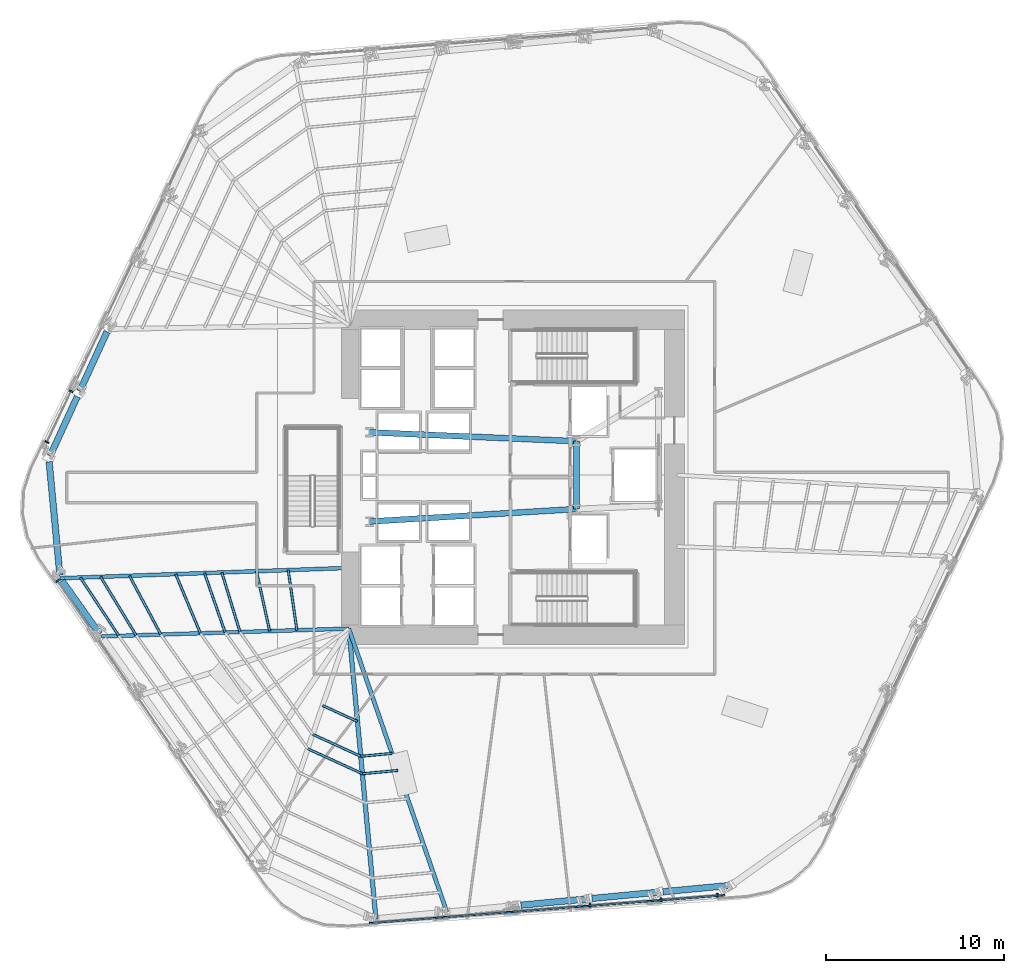
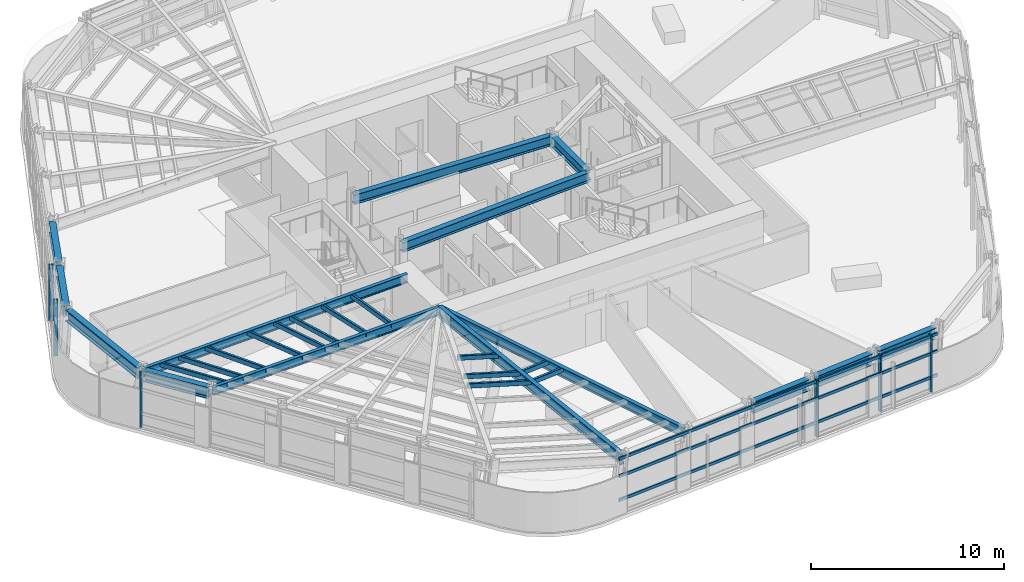
# One storey, part 3 of 15: 22 members, 14 beams, 3 elements without a shape of their own.
"""IFC4 building model written with IfcOpenShell, lengths in metres."""

from ifc_helpers import new_model, si_unit, direction, frame, origin, origin_2d, place, context, subcontext, project, spatial, rectangle, hollow_rectangle, i_section, extrude, material, layer, layer_set, material_profile, profile_set, type_object, element, aggregate, save


model = new_model("IFC4")

# Units and contexts
model_context = context("Model", 3, precision=1e-05, world=origin(), true_north=direction((0.0, 1.0)))
body_context = subcontext(model_context, "Body", "Model", "MODEL_VIEW")
ifc_project = project(units=[si_unit("LENGTHUNIT", "METRE"), si_unit("AREAUNIT", "SQUARE_METRE"), si_unit("VOLUMEUNIT", "CUBIC_METRE"), si_unit("PLANEANGLEUNIT", "RADIAN"), si_unit("MASSUNIT", "GRAM", prefix="KILO")], contexts=[model_context])

# Site, building, storey
site_placement = place(None, origin())
site = spatial("IfcSite", under=ifc_project, at=site_placement, CompositionType="ELEMENT")
building_placement = place(site_placement, origin())
building = spatial("IfcBuilding", under=site, at=building_placement, Name="Valkerne Bourse Tower", CompositionType="ELEMENT")
storey_placement = place(building_placement, frame((0.0, 0.0, 43.0)))
storey = spatial("IfcBuildingStorey", under=building, at=storey_placement, Name="L10", CompositionType="ELEMENT", Elevation=43.0)

# Beams
ifc_material_1 = material(Name="Steel ASTM A992", Category="steel")
ifc_material_profile_1 = material_profile(ifc_material_1, i_section(OverallWidth=0.209228515625, OverallDepth=0.533447265625, WebThickness=0.01025390625, FlangeThickness=0.015625, FilletRadius=0.017822265625, at=origin_2d()), Name="W21X62")
ifc_profile_set_1 = profile_set([ifc_material_profile_1], Name="Steel ASTM A992")
beam_type_1 = type_object("IfcBeamType", Name="BM-W21X62", PredefinedType="JOIST", material=ifc_profile_set_1)
beam_1_placement = place(storey_placement, frame((23.738525390625, 17.964599609375, 3.313232421875), z_axis=(0.999507272579, 0.031388087905, 0.0), x_axis=(-0.031388087905, 0.999507272579, 0.0)))
element("IfcBeam", 1, at=beam_1_placement, inside=storey, type_object=beam_type_1, Name="L10 Radial Composite Floor Beam 19", PredefinedType="JOIST", context=body_context, shape_type="SweptSolid", body=[
    extrude(i_section(OverallWidth=0.209228515625, OverallDepth=0.533447265625, WebThickness=0.01025390625, FlangeThickness=0.015625, FilletRadius=0.017822265625, at=origin_2d()), origin(), (0.0, 0.0, 1.0), 13.868408203125),
])
ifc_material_profile_2 = material_profile(ifc_material_1, i_section(OverallWidth=0.2138671875, OverallDepth=0.548583984375, WebThickness=0.0146484375, FlangeThickness=0.023681640625, FilletRadius=0.017822265625, at=origin_2d()), Name="W21X93")
ifc_profile_set_2 = profile_set([ifc_material_profile_2], Name="Steel ASTM A992")
beam_type_2 = type_object("IfcBeamType", Name="BM-W21X93", PredefinedType="BEAM", material=ifc_profile_set_2)
beam_2_placement = place(storey_placement, frame((21.423583984375, 21.2216796875, 3.3056640625), z_axis=(0.999361450985, 0.035730803021, 0.0), x_axis=(-0.035730803021, 0.999361450985, 0.0)))
element("IfcBeam", 2, at=beam_2_placement, inside=storey, type_object=beam_type_2, Name="L10 Radial Composite Floor Beam 18", PredefinedType="BEAM", context=body_context, shape_type="SweptSolid", body=[
    extrude(i_section(OverallWidth=0.2138671875, OverallDepth=0.548583984375, WebThickness=0.0146484375, FlangeThickness=0.023681640625, FilletRadius=0.017822265625, at=origin_2d()), origin(), (0.0, 0.0, 1.0), 16.186767578125),
])
ifc_material_profile_3 = material_profile(ifc_material_1, i_section(OverallWidth=0.3251953125, OverallDepth=0.612060546875, WebThickness=0.0126953125, FlangeThickness=0.01904296875, FilletRadius=0.020263671875, at=origin_2d()), Name="W24X104")
ifc_profile_set_3 = profile_set([ifc_material_profile_3], Name="Steel ASTM A992")
beam_type_3 = type_object("IfcBeamType", Name="BM-W24X104", PredefinedType="BEAM", material=ifc_profile_set_3)
beam_3_placement = place(storey_placement, frame((50.35009765625, 25.10009765625, 3.27392578125), z_axis=(0.0, 1.0, 0.0), x_axis=(-1.0, 0.0, 0.0)))
element("IfcBeam", 3, at=beam_3_placement, inside=storey, type_object=beam_type_3, Name="L10 Core Frame Girder CG-CE", PredefinedType="BEAM", context=body_context, shape_type="SweptSolid", body=[
    extrude(i_section(OverallWidth=0.3251953125, OverallDepth=0.612060546875, WebThickness=0.0126953125, FlangeThickness=0.01904296875, FilletRadius=0.020263671875, at=origin_2d()), origin(), (0.0, 0.0, 1.0), 3.7998046875),
])
beam_4_placement = place(storey_placement, frame((38.75, 24.39990234375, 3.27392578125), z_axis=(0.998183228389, 0.060251494276, 0.0), x_axis=(-0.060251494276, 0.998183228389, 0.0)))
element("IfcBeam", 4, at=beam_4_placement, inside=storey, type_object=beam_type_3, Name="L10 Core Frame Girder CG-SW", PredefinedType="BEAM", context=body_context, shape_type="SweptSolid", body=[
    extrude(i_section(OverallWidth=0.3251953125, OverallDepth=0.612060546875, WebThickness=0.0126953125, FlangeThickness=0.01904296875, FilletRadius=0.020263671875, at=origin_2d()), origin(), (0.0, 0.0, 1.0), 11.62109375),
])
beam_5_placement = place(storey_placement, frame((38.75, 29.39990234375, 3.27392578125), z_axis=(0.999072354402, -0.043063101019, 0.0), x_axis=(0.043063101019, 0.999072354402, 0.0)))
element("IfcBeam", 5, at=beam_5_placement, inside=storey, type_object=beam_type_3, Name="L10 Core Frame Girder CG-NW", PredefinedType="BEAM", context=body_context, shape_type="SweptSolid", body=[
    extrude(i_section(OverallWidth=0.3251953125, OverallDepth=0.612060546875, WebThickness=0.0126953125, FlangeThickness=0.01904296875, FilletRadius=0.020263671875, at=origin_2d()), origin(), (0.0, 0.0, 1.0), 11.61083984375),
])
ifc_material_profile_4 = material_profile(ifc_material_1, i_section(OverallWidth=0.228271484375, OverallDepth=0.607177734375, WebThickness=0.01123046875, FlangeThickness=0.017333984375, FilletRadius=0.017822265625, at=origin_2d()), Name="W24X76")
ifc_profile_set_4 = profile_set([ifc_material_profile_4], Name="Steel ASTM A992")
beam_type_4 = type_object("IfcBeamType", Name="BM-W24X76", PredefinedType="JOIST", material=ifc_profile_set_4)
beam_6_placement = place(storey_placement, frame((43.09423828125, 2.510498046875, 3.2763671875), z_axis=(-0.32678984629, 0.945097030131, 0.0), x_axis=(-0.945097030131, -0.32678984629, 0.0)))
element("IfcBeam", 6, at=beam_6_placement, inside=storey, type_object=beam_type_4, Name="L10 Radial Composite Floor Beam 25", PredefinedType="JOIST", context=body_context, shape_type="SweptSolid", body=[
    extrude(i_section(OverallWidth=0.228271484375, OverallDepth=0.607177734375, WebThickness=0.01123046875, FlangeThickness=0.017333984375, FilletRadius=0.017822265625, at=origin_2d()), origin(), (0.0, 0.0, 1.0), 16.8125),
])
ifc_material_profile_5 = material_profile(ifc_material_1, i_section(OverallWidth=0.255859375, OverallDepth=0.693359375, WebThickness=0.014404296875, FlangeThickness=0.023681640625, FilletRadius=0.02294921875, at=origin_2d()), Name="W27X114")
ifc_profile_set_5 = profile_set([ifc_material_profile_5], Name="Steel ASTM A992")
beam_type_5 = type_object("IfcBeamType", Name="BM-W27X114", PredefinedType="BEAM", material=ifc_profile_set_5)
beam_7_placement = place(storey_placement, frame((39.115966796875, 2.13427734375, 3.2333984375), z_axis=(-0.092792552873, 0.995685463453, 0.0), x_axis=(-0.995685463453, -0.092792552873, 0.0)))
element("IfcBeam", 7, at=beam_7_placement, inside=storey, type_object=beam_type_5, Name="L10 Radial Composite Floor Beam 24", PredefinedType="BEAM", context=body_context, shape_type="SweptSolid", body=[
    extrude(i_section(OverallWidth=0.255859375, OverallDepth=0.693359375, WebThickness=0.014404296875, FlangeThickness=0.023681640625, FilletRadius=0.02294921875, at=origin_2d()), origin(), (0.0, 0.0, 1.0), 16.336181640625),
])
ifc_material_profile_6 = material_profile(ifc_material_1, i_section(OverallWidth=0.358154296875, OverallDepth=0.7060546875, WebThickness=0.018310546875, FlangeThickness=0.0302734375, FilletRadius=0.02294921875, at=origin_2d()), Name="W27X178")
ifc_profile_set_6 = profile_set([ifc_material_profile_6], Name="Steel ASTM A992")
beam_type_6 = type_object("IfcBeamType", Name="BM-W27X178", PredefinedType="SPANDREL", material=ifc_profile_set_6)
for number, where, z_axis, x_axis, name in (
    (8, (24.04638671875, 35.032958984375, 3.226806640625), (-0.416231573984, -0.909258641322, 0.0), (0.909258641322, -0.416231573984, 0.0), "L10 Hexagonal Spandrel Ring Beam 15"),
    (9, (22.383056640625, 31.399658203125, 3.226806640625), (-0.416286781049, -0.909233367142, 0.0), (0.909233367142, -0.416286781049, 0.0), "L10 Hexagonal Spandrel Ring Beam 16"),
):
    element("IfcBeam", number, at=place(storey_placement, frame(where, z_axis=z_axis, x_axis=x_axis)), inside=storey, type_object=beam_type_6, Name=name, PredefinedType="SPANDREL", context=body_context, shape_type="SweptSolid", body=[
        extrude(i_section(OverallWidth=0.358154296875, OverallDepth=0.7060546875, WebThickness=0.018310546875, FlangeThickness=0.0302734375, FilletRadius=0.02294921875, at=origin_2d()), origin(), (0.0, 0.0, 1.0), 3.656005859375),
    ])
beam_8_placement = place(storey_placement, frame((20.806396484375, 27.751708984375, 3.226806640625), z_axis=(0.09411482318, -0.995561349219, 0.0), x_axis=(0.995561349219, 0.09411482318, 0.0)))
element("IfcBeam", 10, at=beam_8_placement, inside=storey, type_object=beam_type_6, Name="L10 Hexagonal Spandrel Ring Beam 17", PredefinedType="SPANDREL", context=body_context, shape_type="SweptSolid", body=[
    extrude(i_section(OverallWidth=0.358154296875, OverallDepth=0.7060546875, WebThickness=0.018310546875, FlangeThickness=0.0302734375, FilletRadius=0.02294921875, at=origin_2d()), origin(), (0.0, 0.0, 1.0), 6.38916015625),
])
beam_9_placement = place(storey_placement, frame((21.522216796875, 21.0830078125, 3.226806640625), z_axis=(0.57926552254, -0.815138917238, 0.0), x_axis=(0.815138917238, 0.57926552254, 0.0)))
element("IfcBeam", 11, at=beam_9_placement, inside=storey, type_object=beam_type_6, Name="L10 Hexagonal Spandrel Ring Beam 18", PredefinedType="SPANDREL", context=body_context, shape_type="SweptSolid", body=[
    extrude(i_section(OverallWidth=0.358154296875, OverallDepth=0.7060546875, WebThickness=0.018310546875, FlangeThickness=0.0302734375, FilletRadius=0.02294921875, at=origin_2d()), origin(), (0.0, 0.0, 1.0), 3.65576171875),
])
beam_10_placement = place(storey_placement, frame((47.24169921875, 2.90234375, 3.226806640625), z_axis=(0.995557680762, 0.094153620623, 0.0), x_axis=(-0.094153620623, 0.995557680762, 0.0)))
element("IfcBeam", 12, at=beam_10_placement, inside=storey, type_object=beam_type_6, Name="L10 Hexagonal Spandrel Ring Beam 26", PredefinedType="SPANDREL", context=body_context, shape_type="SweptSolid", body=[
    extrude(i_section(OverallWidth=0.358154296875, OverallDepth=0.7060546875, WebThickness=0.018310546875, FlangeThickness=0.0302734375, FilletRadius=0.02294921875, at=origin_2d()), origin(), (0.0, 0.0, 1.0), 3.65625),
])
for number, where, z_axis, x_axis, name in (
    (13, (51.219970703125, 3.278564453125, 3.226806640625), (0.995563937838, 0.094087436341, 0.0), (-0.094087436341, 0.995563937838, 0.0), "L10 Hexagonal Spandrel Ring Beam 27"),
    (14, (55.1982421875, 3.654541015625, 3.226806640625), (0.995563937838, 0.094087436341, 0.0), (-0.094087436341, 0.995563937838, 0.0), "L10 Hexagonal Spandrel Ring Beam 28"),
):
    element("IfcBeam", number, at=place(storey_placement, frame(where, z_axis=z_axis, x_axis=x_axis)), inside=storey, type_object=beam_type_6, Name=name, PredefinedType="SPANDREL", context=body_context, shape_type="SweptSolid", body=[
        extrude(i_section(OverallWidth=0.358154296875, OverallDepth=0.7060546875, WebThickness=0.018310546875, FlangeThickness=0.0302734375, FilletRadius=0.02294921875, at=origin_2d()), origin(), (0.0, 0.0, 1.0), 3.656005859375),
    ])

# Curtain wall, members
ifc_material_2 = material(Name="Aluminium AA 6063-T6", Category="aluminium")
ifc_layer = layer(ifc_material_2, 0.22509765625)
ifc_layer_set = layer_set([ifc_layer], Name="Aluminium AA 6063-T6")
curtain_wall_type = type_object("IfcCurtainWallType", Name="CW-01", PredefinedType="NOTDEFINED", material=ifc_layer_set)
curtain_wall_1_placement = place(storey_placement, origin())
curtain_wall_1 = element("IfcCurtainWall", 15, at=curtain_wall_1_placement, inside=storey, type_object=curtain_wall_type, Name="L10 Hexagonal Stick Curtain Wall Face 3", PredefinedType="NOTDEFINED")
ifc_material_profile_7 = material_profile(ifc_material_2, rectangle(XDim=0.090087890625, YDim=0.239990234375, at=origin_2d()), Name="CWM-90X240")
ifc_profile_set_7 = profile_set([ifc_material_profile_7], Name="Aluminium AA 6063-T6")
member_type_1 = type_object("IfcMemberType", Name="CW-MUL-240X90", PredefinedType="MULLION", material=ifc_profile_set_7)
member_1_placement = place(storey_placement, frame((22.040771484375, 31.703369140625, 0.0), z_axis=(0.0, 0.0, 1.0), x_axis=(-0.430509536417, -0.902586028617, 0.0)))
member_1 = element("IfcMember", 16, at=member_1_placement, type_object=member_type_1, Name="CW-L10-F3 Jamb Mullion 04A", PredefinedType="MULLION", context=body_context, shape_type="SweptSolid", body=[
    extrude(rectangle(XDim=0.090087890625, YDim=0.239990234375, at=origin_2d()), origin(), (0.0, 0.0, 1.0), 3.580078125),
])
member_2_placement = place(storey_placement, frame((20.681884765625, 28.854736328125, 0.0), z_axis=(0.0, 0.0, 1.0), x_axis=(-0.430509536417, -0.902586028617, 0.0)))
member_2 = element("IfcMember", 17, at=member_2_placement, type_object=member_type_1, Name="CW-L10-F3 Jamb Mullion 04B", PredefinedType="MULLION", context=body_context, shape_type="SweptSolid", body=[
    extrude(rectangle(XDim=0.090087890625, YDim=0.239990234375, at=origin_2d()), origin(), (0.0, 0.0, 1.0), 3.580078125),
])
aggregate(curtain_wall_1, [member_1, member_2])

# Curtain wall, member
curtain_wall_2_placement = place(storey_placement, origin())
curtain_wall_2 = element("IfcCurtainWall", 18, at=curtain_wall_2_placement, inside=storey, type_object=curtain_wall_type, Name="L10 Hexagonal Stick Curtain Wall Face 4", PredefinedType="NOTDEFINED")
member_3_placement = place(storey_placement, frame((21.293701171875, 21.082275390625, 0.0), z_axis=(0.0, 0.0, 1.0), x_axis=(0.566414114299, -0.824120774597, 0.0)))
member_3 = element("IfcMember", 19, at=member_3_placement, type_object=member_type_1, Name="CW-L10-F4 Jamb Mullion 00A", PredefinedType="MULLION", context=body_context, shape_type="SweptSolid", body=[
    extrude(rectangle(XDim=0.090087890625, YDim=0.239990234375, at=origin_2d()), origin(), (0.0, 0.0, 1.0), 3.580078125),
])
aggregate(curtain_wall_2, [member_3])

# Curtain wall, members
curtain_wall_3_placement = place(storey_placement, origin())
curtain_wall_3 = element("IfcCurtainWall", 20, at=curtain_wall_3_placement, inside=storey, type_object=curtain_wall_type, Name="L10 Hexagonal Stick Curtain Wall Face 5", PredefinedType="NOTDEFINED")
member_4_placement = place(storey_placement, frame((51.122802734375, 2.892578125, 0.0), z_axis=(0.0, 0.0, 1.0), x_axis=(0.996915845742, 0.078478000155, 0.0)))
member_4 = element("IfcMember", 21, at=member_4_placement, type_object=member_type_1, Name="CW-L10-F5 Jamb Mullion 03A", PredefinedType="MULLION", context=body_context, shape_type="SweptSolid", body=[
    extrude(rectangle(XDim=0.090087890625, YDim=0.239990234375, at=origin_2d()), origin(), (0.0, 0.0, 1.0), 3.580078125),
])
member_5_placement = place(storey_placement, frame((55.1064453125, 3.206298828125, 0.0), z_axis=(0.0, 0.0, 1.0), x_axis=(0.99691764925, 0.078455086606, 0.0)))
member_5 = element("IfcMember", 22, at=member_5_placement, type_object=member_type_1, Name="CW-L10-F5 Jamb Mullion 04A", PredefinedType="MULLION", context=body_context, shape_type="SweptSolid", body=[
    extrude(rectangle(XDim=0.090087890625, YDim=0.239990234375, at=origin_2d()), origin(), (0.0, 0.0, 1.0), 3.580078125),
])
member_6_placement = place(storey_placement, frame((58.252685546875, 3.453857421875, 0.0), z_axis=(0.0, 0.0, 1.0), x_axis=(0.99691764925, 0.078455086606, 0.0)))
member_6 = element("IfcMember", 23, at=member_6_placement, type_object=member_type_1, Name="CW-L10-F5 Jamb Mullion 04B", PredefinedType="MULLION", context=body_context, shape_type="SweptSolid", body=[
    extrude(rectangle(XDim=0.090087890625, YDim=0.239990234375, at=origin_2d()), origin(), (0.0, 0.0, 1.0), 3.580078125),
])
ifc_material_profile_8 = material_profile(ifc_material_2, rectangle(XDim=0.090087890625, YDim=0.179931640625, at=origin_2d()), Name="CWT-90X180")
ifc_profile_set_8 = profile_set([ifc_material_profile_8], Name="Aluminium AA 6063-T6")
member_type_2 = type_object("IfcMemberType", Name="CW-TRN-180X90", PredefinedType="USERDEFINED", material=ifc_profile_set_8)
member_7_placement = place(storey_placement, frame((38.75439453125, 1.899169921875, 0.89990234375), z_axis=(0.996917293069, 0.078459612419, 0.0), x_axis=(-0.078459612419, 0.996917293069, 0.0)))
member_7 = element("IfcMember", 24, at=member_7_placement, type_object=member_type_2, Name="CW-L10-F5 Continuous Face Transom 2", ObjectType="TRANSOM", PredefinedType="USERDEFINED", context=body_context, shape_type="SweptSolid", body=[
    extrude(rectangle(XDim=0.090087890625, YDim=0.179931640625, at=origin_2d()), origin(), (0.0, 0.0, 1.0), 19.97998046875),
])
member_8_placement = place(storey_placement, frame((38.75439453125, 1.899169921875, 2.39990234375), z_axis=(0.996917293069, 0.078459612419, 0.0), x_axis=(-0.078459612419, 0.996917293069, 0.0)))
member_8 = element("IfcMember", 25, at=member_8_placement, type_object=member_type_2, Name="CW-L10-F5 Continuous Face Transom 3", ObjectType="TRANSOM", PredefinedType="USERDEFINED", context=body_context, shape_type="SweptSolid", body=[
    extrude(rectangle(XDim=0.090087890625, YDim=0.179931640625, at=origin_2d()), origin(), (0.0, 0.0, 1.0), 19.97998046875),
])
member_9_placement = place(storey_placement, frame((38.75439453125, 1.899169921875, 3.5), z_axis=(0.996917293069, 0.078459612419, 0.0), x_axis=(-0.078459612419, 0.996917293069, 0.0)))
member_9 = element("IfcMember", 26, at=member_9_placement, type_object=member_type_2, Name="CW-L10-F5 Continuous Face Transom 4", ObjectType="TRANSOM", PredefinedType="USERDEFINED", context=body_context, shape_type="SweptSolid", body=[
    extrude(rectangle(XDim=0.090087890625, YDim=0.179931640625, at=origin_2d()), origin(), (0.0, 0.0, 1.0), 19.97998046875),
])
aggregate(curtain_wall_3, [member_7, member_8, member_9, member_4, member_5, member_6])

# Members
ifc_material_3 = material(Name="Steel ASTM A500 Grade C", Category="steel")
ifc_material_profile_9 = material_profile(ifc_material_3, hollow_rectangle(XDim=0.14990234375, YDim=0.300048828125, WallThickness=0.012451171875, OuterFilletRadius=0.02490234375, at=origin_2d()), Name="HSS300X150X12.5")
ifc_profile_set_9 = profile_set([ifc_material_profile_9], Name="Steel ASTM A500 Grade C")
member_type_3 = type_object("IfcMemberType", Name="MBR-HSS300X150X12.5", PredefinedType="PURLIN", material=ifc_profile_set_9)
member_10_placement = place(storey_placement, frame((32.423583984375, 21.614990234375, 3.419921875), z_axis=(0.215620935516, -0.976477143699, 0.0), x_axis=(0.976477143699, 0.215620935516, 0.0)))
element("IfcMember", 27, at=member_10_placement, inside=storey, type_object=member_type_3, Name="L10 Secondary Composite Floor Purlin I-18", PredefinedType="PURLIN", context=body_context, shape_type="SweptSolid", body=[
    extrude(hollow_rectangle(XDim=0.14990234375, YDim=0.300048828125, WallThickness=0.012451171875, OuterFilletRadius=0.02490234375, at=origin_2d()), origin(), (0.0, 0.0, 1.0), 3.435302734375),
])
member_11_placement = place(storey_placement, frame((36.127197265625, 14.09130859375, 3.419921875), z_axis=(0.909272267142, -0.416201807067, 0.0), x_axis=(0.416201807067, 0.909272267142, 0.0)))
element("IfcMember", 28, at=member_11_placement, inside=storey, type_object=member_type_3, Name="L10 Secondary Composite Floor Purlin I-23", PredefinedType="PURLIN", context=body_context, shape_type="SweptSolid", body=[
    extrude(hollow_rectangle(XDim=0.14990234375, YDim=0.300048828125, WallThickness=0.012451171875, OuterFilletRadius=0.02490234375, at=origin_2d()), origin(), (0.0, 0.0, 1.0), 2.1533203125),
])
member_12_placement = place(storey_placement, frame((30.482421875, 21.54541015625, 3.419921875), z_axis=(0.29194118599, -0.956436272797, 0.0), x_axis=(0.956436272797, 0.29194118599, 0.0)))
element("IfcMember", 29, at=member_12_placement, inside=storey, type_object=member_type_3, Name="L10 Secondary Composite Floor Purlin K-18", PredefinedType="PURLIN", context=body_context, shape_type="SweptSolid", body=[
    extrude(hollow_rectangle(XDim=0.14990234375, YDim=0.300048828125, WallThickness=0.012451171875, OuterFilletRadius=0.02490234375, at=origin_2d()), origin(), (0.0, 0.0, 1.0), 3.489013671875),
])
member_13_placement = place(storey_placement, frame((35.574951171875, 12.4755859375, 3.419921875), z_axis=(0.909253422537, -0.416242974242, 0.0), x_axis=(0.416242974242, 0.909253422537, 0.0)))
element("IfcMember", 30, at=member_13_placement, inside=storey, type_object=member_type_3, Name="L10 Secondary Composite Floor Purlin K-23", PredefinedType="PURLIN", context=body_context, shape_type="SweptSolid", body=[
    extrude(hollow_rectangle(XDim=0.14990234375, YDim=0.300048828125, WallThickness=0.012451171875, OuterFilletRadius=0.02490234375, at=origin_2d()), origin(), (0.0, 0.0, 1.0), 2.9609375),
])
member_14_placement = place(storey_placement, frame((38.26708984375, 11.2431640625, 3.419921875), z_axis=(0.995557670284, 0.094153731406, 0.0), x_axis=(-0.094153731406, 0.995557670284, 0.0)))
element("IfcMember", 31, at=member_14_placement, inside=storey, type_object=member_type_3, Name="L10 Secondary Composite Floor Purlin K-24", PredefinedType="PURLIN", context=body_context, shape_type="SweptSolid", body=[
    extrude(hollow_rectangle(XDim=0.14990234375, YDim=0.300048828125, WallThickness=0.012451171875, OuterFilletRadius=0.02490234375, at=origin_2d()), origin(), (0.0, 0.0, 1.0), 1.758056640625),
])
member_15_placement = place(storey_placement, frame((29.511962890625, 21.5107421875, 3.419921875), z_axis=(0.328380895732, -0.944545386585, 0.0), x_axis=(0.944545386585, 0.328380895732, 0.0)))
element("IfcMember", 32, at=member_15_placement, inside=storey, type_object=member_type_3, Name="L10 Secondary Composite Floor Purlin M-18", PredefinedType="PURLIN", context=body_context, shape_type="SweptSolid", body=[
    extrude(hollow_rectangle(XDim=0.14990234375, YDim=0.300048828125, WallThickness=0.012451171875, OuterFilletRadius=0.02490234375, at=origin_2d()), origin(), (0.0, 0.0, 1.0), 3.52392578125),
])
member_16_placement = place(storey_placement, frame((35.298828125, 11.667724609375, 3.419921875), z_axis=(0.909227372055, -0.416299874978, 0.0), x_axis=(0.416299874978, 0.909227372055, 0.0)))
element("IfcMember", 33, at=member_16_placement, inside=storey, type_object=member_type_3, Name="L10 Secondary Composite Floor Purlin M-23", PredefinedType="PURLIN", context=body_context, shape_type="SweptSolid", body=[
    extrude(hollow_rectangle(XDim=0.14990234375, YDim=0.300048828125, WallThickness=0.012451171875, OuterFilletRadius=0.02490234375, at=origin_2d()), origin(), (0.0, 0.0, 1.0), 3.364501953125),
])
member_17_placement = place(storey_placement, frame((38.35791015625, 10.26708984375, 3.419921875), z_axis=(0.995564399959, 0.094082546388, 0.0), x_axis=(-0.094082546388, 0.995564399959, 0.0)))
element("IfcMember", 34, at=member_17_placement, inside=storey, type_object=member_type_3, Name="L10 Secondary Composite Floor Purlin M-24", PredefinedType="PURLIN", context=body_context, shape_type="SweptSolid", body=[
    extrude(hollow_rectangle(XDim=0.14990234375, YDim=0.300048828125, WallThickness=0.012451171875, OuterFilletRadius=0.02490234375, at=origin_2d()), origin(), (0.0, 0.0, 1.0), 1.998046875),
])
member_18_placement = place(storey_placement, frame((25.305908203125, 21.360595703125, 3.419921875), z_axis=(0.471382534651, -0.881928855422, 0.0), x_axis=(0.881928855422, 0.471382534651, 0.0)))
element("IfcMember", 35, at=member_18_placement, inside=storey, type_object=member_type_3, Name="L10 Secondary Composite Floor Purlin O-18", PredefinedType="PURLIN", context=body_context, shape_type="SweptSolid", body=[
    extrude(hollow_rectangle(XDim=0.14990234375, YDim=0.300048828125, WallThickness=0.012451171875, OuterFilletRadius=0.02490234375, at=origin_2d()), origin(), (0.0, 0.0, 1.0), 3.732177734375),
])
member_19_placement = place(storey_placement, frame((27.894287109375, 21.452880859375, 3.419921875), z_axis=(0.386510460212, -0.922285023269, 0.0), x_axis=(0.922285023269, 0.386510460212, 0.0)))
element("IfcMember", 36, at=member_19_placement, inside=storey, type_object=member_type_3, Name="L10 Secondary Composite Floor Purlin Z-18", PredefinedType="PURLIN", context=body_context, shape_type="SweptSolid", body=[
    extrude(hollow_rectangle(XDim=0.14990234375, YDim=0.300048828125, WallThickness=0.012451171875, OuterFilletRadius=0.02490234375, at=origin_2d()), origin(), (0.0, 0.0, 1.0), 3.593505859375),
])
member_20_placement = place(storey_placement, frame((34.202880859375, 21.6787109375, 3.419921875), z_axis=(0.142826535068, -0.989747735982, 0.0), x_axis=(0.989747735982, 0.142826535068, 0.0)))
element("IfcMember", 37, at=member_20_placement, inside=storey, type_object=member_type_3, Name="L10 Secondary Composite Floor Purlin S-18", PredefinedType="PURLIN", context=body_context, shape_type="SweptSolid", body=[
    extrude(hollow_rectangle(XDim=0.14990234375, YDim=0.300048828125, WallThickness=0.012451171875, OuterFilletRadius=0.02490234375, at=origin_2d()), origin(), (0.0, 0.0, 1.0), 3.405029296875),
])
member_21_placement = place(storey_placement, frame((23.6884765625, 21.302734375, 3.419921875), z_axis=(0.519150912031, -0.85468259052, 0.0), x_axis=(0.85468259052, 0.519150912031, 0.0)))
element("IfcMember", 38, at=member_21_placement, inside=storey, type_object=member_type_3, Name="L10 Secondary Composite Floor Purlin T-18", PredefinedType="PURLIN", context=body_context, shape_type="SweptSolid", body=[
    extrude(hollow_rectangle(XDim=0.14990234375, YDim=0.300048828125, WallThickness=0.012451171875, OuterFilletRadius=0.02490234375, at=origin_2d()), origin(), (0.0, 0.0, 1.0), 3.83447265625),
])
member_22_placement = place(storey_placement, frame((22.555908203125, 21.26220703125, 3.419921875), z_axis=(0.550228333994, -0.835014239681, 0.0), x_axis=(0.835014239681, 0.550228333994, 0.0)))
element("IfcMember", 39, at=member_22_placement, inside=storey, type_object=member_type_3, Name="L10 Secondary Composite Floor Purlin U-18", PredefinedType="PURLIN", context=body_context, shape_type="SweptSolid", body=[
    extrude(hollow_rectangle(XDim=0.14990234375, YDim=0.300048828125, WallThickness=0.012451171875, OuterFilletRadius=0.02490234375, at=origin_2d()), origin(), (0.0, 0.0, 1.0), 3.91259765625),
])

save(model, "model.ifc")
